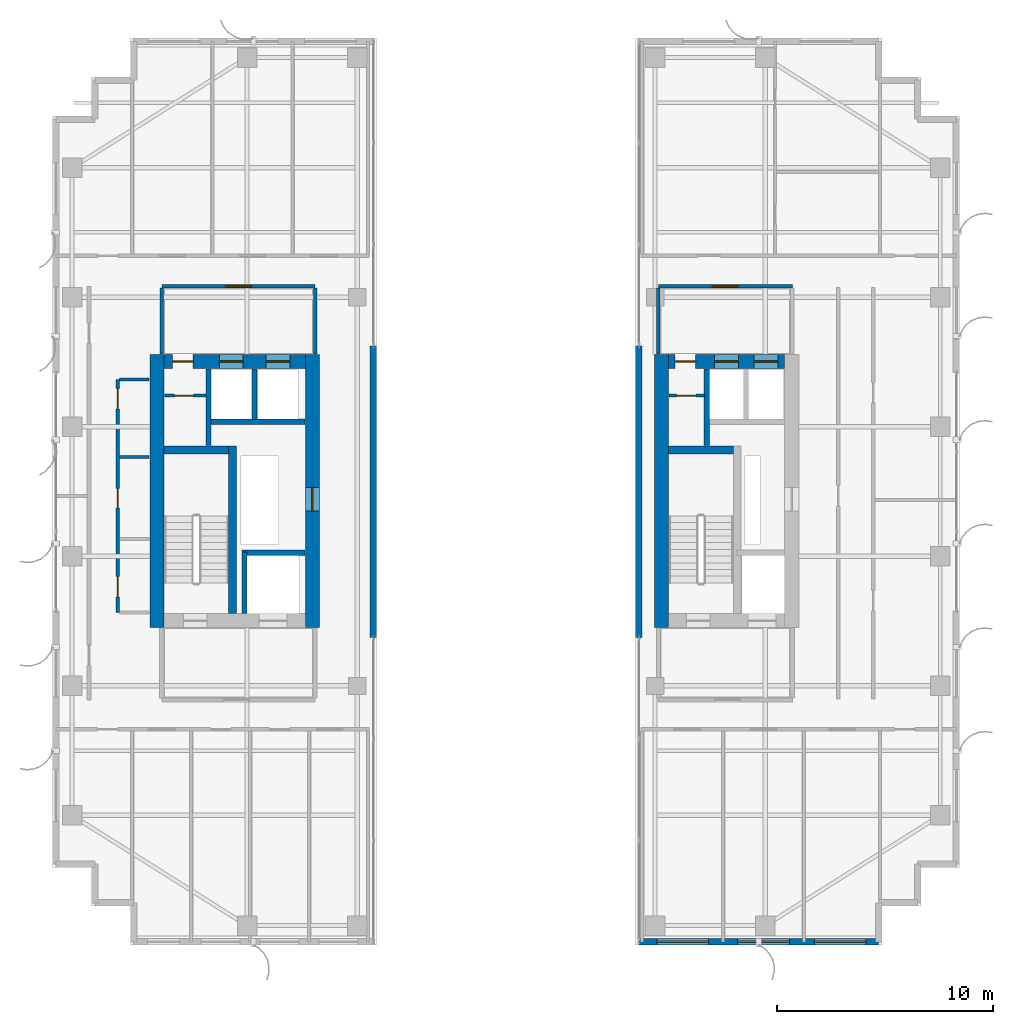
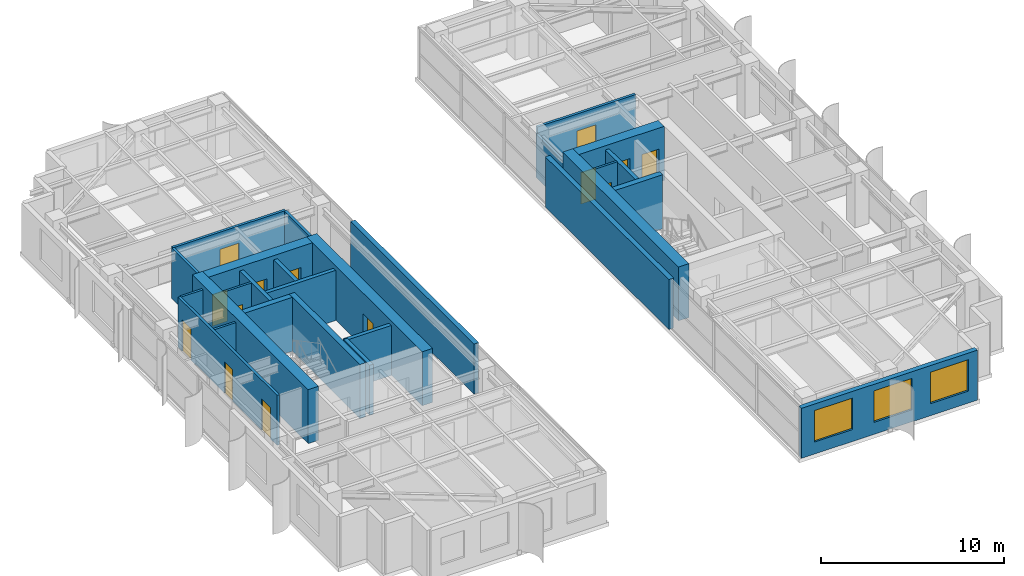
# One storey, part 17 of 22: 27 walls, 14 doors, 3 windows, 17 openings.
"""IFC4 building model written with IfcOpenShell, lengths in metres."""

from ifc_helpers import new_model, si_unit, direction, frame, frame_2d, origin, place, context, subcontext, project, spatial, rectangle, extrude, source, transform, mapped, material, layer, layer_set, type_object, element, fill, save


model = new_model("IFC4")

# Units and contexts
model_context = context("Model", 3, precision=1e-05, world=origin(), true_north=direction((0.0, 1.0)))
body_context = subcontext(model_context, "Body", "Model", "MODEL_VIEW")
ifc_project = project(units=[si_unit("LENGTHUNIT", "METRE"), si_unit("AREAUNIT", "SQUARE_METRE"), si_unit("VOLUMEUNIT", "CUBIC_METRE"), si_unit("PLANEANGLEUNIT", "RADIAN"), si_unit("MASSUNIT", "GRAM", prefix="KILO")], contexts=[model_context])

# Site, building, storey
site_placement = place(None, origin())
site = spatial("IfcSite", under=ifc_project, at=site_placement, CompositionType="ELEMENT")
building_placement = place(site_placement, origin())
building = spatial("IfcBuilding", under=site, at=building_placement, Name="Khoralis Quay Care Tower", CompositionType="ELEMENT")
storey_placement = place(building_placement, frame((0.0, 0.0, 191.699951171875)))
storey = spatial("IfcBuildingStorey", under=building, at=storey_placement, Name="L50", CompositionType="ELEMENT", Elevation=191.699951171875)

# Wall
ifc_material_1 = material(Name="Concrete C65/80", Category="concrete")
ifc_layer_1 = layer(ifc_material_1, 0.64990234375)
ifc_layer_set_1 = layer_set([ifc_layer_1], Name="Concrete C65/80")
wall_type_1 = type_object("IfcWallType", Name="WL-CORE-650", PredefinedType="SHEAR", material=ifc_layer_set_1)
wall_1_placement = place(storey_placement, frame((7.824951171875, 14.699951171875, 0.0), z_axis=(0.0, 0.0, 1.0), x_axis=(0.0, 1.0, 0.0)))
element("IfcWall", 1, at=wall_1_placement, inside=storey, type_object=wall_type_1, Name="L50 WCORE West Shear Wall", PredefinedType="SHEAR", context=body_context, shape_type="SweptSolid", body=[
    extrude(rectangle(XDim=12.650146484375, YDim=0.64990234375, at=frame_2d((6.3251953125, 0.0))), origin(), (0.0, 0.0, 1.0), 3.60009765625),
])

# Wall, opening, door
wall_2_placement = place(storey_placement, frame((15.02490234375, 14.699951171875, 0.0), z_axis=(0.0, 0.0, 1.0), x_axis=(0.0, 1.0, 0.0)))
wall_2 = element("IfcWall", 2, at=wall_2_placement, inside=storey, type_object=wall_type_1, Name="L50 WCORE East Shear Wall", PredefinedType="SHEAR", context=body_context, shape_type="SweptSolid", body=[
    extrude(rectangle(XDim=12.650146484375, YDim=0.64990234375, at=frame_2d((6.3251953125, 0.0))), origin(), (0.0, 0.0, 1.0), 3.60009765625),
])
opening_1_placement = place(wall_2_placement, frame((5.39990234375, 0.0, 0.0)))
opening_1 = element("IfcOpeningElement", 3, at=opening_1_placement, cuts=wall_2, Name="Opening SD1", PredefinedType="OPENING", context=body_context, shape_type="SweptSolid", body=[
    extrude(rectangle(XDim=1.10009765625, YDim=2.199951171875, at=frame_2d((0.550048828125, 1.10009765625))), frame((0.0, 0.3349609375, 0.0), z_axis=(0.0, -1.0, 0.0), x_axis=(1.0, 0.0, 0.0)), (0.0, 0.0, 1.0), 0.669921875),
])
ifc_material_2 = material(Name="Fire-rated painted steel", Category="steel")
door_type_1 = type_object("IfcDoorType", Name="DR-STAIR-1100X2200", OperationType="NOTDEFINED", PredefinedType="DOOR", material=ifc_material_2)
shared_shape_1 = source(origin(), body_context, "Body", "SweptSolid", [
    extrude(rectangle(XDim=1.10009765625, YDim=2.199951171875, at=frame_2d((0.550048828125, 1.10009765625))), frame((0.0, 0.02490234375, 0.0), z_axis=(0.0, -1.0, 0.0), x_axis=(1.0, 0.0, 0.0)), (0.0, 0.0, 1.0), 0.050048828125),
])
door_1_placement = place(opening_1_placement, origin())
door_1 = element("IfcDoor", 4, at=door_1_placement, inside=storey, type_object=door_type_1, Name="L50 West MEP Riser Door", OperationType="SINGLE_SWING_RIGHT", OverallHeight=2.199951171875, OverallWidth=1.10009765625, PredefinedType="DOOR", context=body_context, shape_type="MappedRepresentation", body=[
    mapped(shared_shape_1, transform((0.0, 0.0, 0.0), scale=1.0)),
])
fill(opening_1, door_1)

# Wall, openings, doors
wall_3_placement = place(storey_placement, frame((8.14990234375, 27.02490234375, 0.0), z_axis=(0.0, 0.0, 1.0), x_axis=(1.0, 0.0, 0.0)))
wall_3 = element("IfcWall", 5, at=wall_3_placement, inside=storey, type_object=wall_type_1, Name="L50 WCORE North Shear Wall", PredefinedType="SHEAR", context=body_context, shape_type="SweptSolid", body=[
    extrude(rectangle(XDim=6.550048828125, YDim=0.64990234375, at=frame_2d((3.27490234375, 0.0))), origin(), (0.0, 0.0, 1.0), 3.60009765625),
])
opening_2_placement = place(wall_3_placement, frame((0.39990234375, 0.0, 0.0)))
opening_2 = element("IfcOpeningElement", 6, at=opening_2_placement, cuts=wall_3, Name="Opening ID1", PredefinedType="OPENING", context=body_context, shape_type="SweptSolid", body=[
    extrude(rectangle(XDim=0.949951171875, YDim=2.10009765625, at=frame_2d((0.47509765625, 1.050048828125))), frame((0.0, 0.3349609375, 0.0), z_axis=(0.0, -1.0, 0.0), x_axis=(1.0, 0.0, 0.0)), (0.0, 0.0, 1.0), 0.669921875),
])
opening_3_placement = place(wall_3_placement, frame((2.570068359375, 0.0, 0.0)))
opening_3 = element("IfcOpeningElement", 7, at=opening_3_placement, cuts=wall_3, Name="Opening LD1", PredefinedType="OPENING", context=body_context, shape_type="SweptSolid", body=[
    extrude(rectangle(XDim=1.10009765625, YDim=2.199951171875, at=frame_2d((0.550048828125, 1.10009765625))), frame((0.0, 0.3349609375, 0.0), z_axis=(0.0, -1.0, 0.0), x_axis=(1.0, 0.0, 0.0)), (0.0, 0.0, 1.0), 0.669921875),
])
opening_4_placement = place(wall_3_placement, frame((4.72998046875, 0.0, 0.0)))
opening_4 = element("IfcOpeningElement", 8, at=opening_4_placement, cuts=wall_3, Name="Opening LD1", PredefinedType="OPENING", context=body_context, shape_type="SweptSolid", body=[
    extrude(rectangle(XDim=1.10009765625, YDim=2.199951171875, at=frame_2d((0.550048828125, 1.10009765625))), frame((0.0, 0.3349609375, 0.0), z_axis=(0.0, -1.0, 0.0), x_axis=(1.0, 0.0, 0.0)), (0.0, 0.0, 1.0), 0.669921875),
])
ifc_material_3 = material(Name="Brushed stainless steel", Category="steel")
door_type_2 = type_object("IfcDoorType", Name="DR-LIFT-1100X2200", OperationType="SLIDING_TO_LEFT", PredefinedType="DOOR", material=ifc_material_3)
shared_shape_2 = source(origin(), body_context, "Body", "SweptSolid", [
    extrude(rectangle(XDim=1.10009765625, YDim=2.199951171875, at=frame_2d((0.550048828125, 1.10009765625))), frame((0.0, 0.02490234375, 0.0), z_axis=(0.0, -1.0, 0.0), x_axis=(1.0, 0.0, 0.0)), (0.0, 0.0, 1.0), 0.050048828125),
])
door_2_placement = place(opening_3_placement, origin())
door_2 = element("IfcDoor", 9, at=door_2_placement, inside=storey, type_object=door_type_2, Name="L50 Lift PLM1 Landing Door", OperationType="SLIDING_TO_LEFT", OverallHeight=2.199951171875, OverallWidth=1.10009765625, PredefinedType="DOOR", context=body_context, shape_type="MappedRepresentation", body=[
    mapped(shared_shape_2, transform((0.0, 0.0, 0.0), scale=1.0)),
])
fill(opening_3, door_2)
door_3_placement = place(opening_4_placement, origin())
door_3 = element("IfcDoor", 10, at=door_3_placement, inside=storey, type_object=door_type_2, Name="L50 Lift PLH1 Landing Door", OperationType="SLIDING_TO_LEFT", OverallHeight=2.199951171875, OverallWidth=1.10009765625, PredefinedType="DOOR", context=body_context, shape_type="MappedRepresentation", body=[
    mapped(shared_shape_2, transform((0.0, 0.0, 0.0), scale=1.0)),
])
fill(opening_4, door_3)
ifc_material_4 = material(Name="Acoustic hardwood timber", Category="wood")
door_type_3 = type_object("IfcDoorType", Name="DR-ROOM-950X2100", OperationType="NOTDEFINED", PredefinedType="DOOR", material=ifc_material_4)
shared_shape_3 = source(origin(), body_context, "Body", "SweptSolid", [
    extrude(rectangle(XDim=0.949951171875, YDim=2.10009765625, at=frame_2d((0.47509765625, 1.050048828125))), frame((0.0, 0.02490234375, 0.0), z_axis=(0.0, -1.0, 0.0), x_axis=(1.0, 0.0, 0.0)), (0.0, 0.0, 1.0), 0.050048828125),
])
door_4_placement = place(opening_2_placement, frame((0.949951171875, 0.0, 0.0), z_axis=(0.0, 0.0, 1.0), x_axis=(-1.0, 0.0, 0.0)))
door_4 = element("IfcDoor", 11, at=door_4_placement, inside=storey, type_object=door_type_3, Name="L50 Medication Store Door", OperationType="SINGLE_SWING_RIGHT", OverallHeight=2.10009765625, OverallWidth=0.949951171875, PredefinedType="DOOR", context=body_context, shape_type="MappedRepresentation", body=[
    mapped(shared_shape_3, transform((0.0, 0.0, 0.0), scale=1.0)),
])
fill(opening_2, door_4)

# Wall
wall_4_placement = place(storey_placement, frame((31.195068359375, 14.699951171875, 0.0), z_axis=(0.0, 0.0, 1.0), x_axis=(0.0, 1.0, 0.0)))
element("IfcWall", 12, at=wall_4_placement, inside=storey, type_object=wall_type_1, Name="L50 ECORE West Shear Wall", PredefinedType="SHEAR", context=body_context, shape_type="SweptSolid", body=[
    extrude(rectangle(XDim=12.650146484375, YDim=0.64990234375, at=frame_2d((6.3251953125, 0.0))), origin(), (0.0, 0.0, 1.0), 3.60009765625),
])

# Wall, openings, doors
wall_5_placement = place(storey_placement, frame((31.52001953125, 27.02490234375, 0.0), z_axis=(0.0, 0.0, 1.0), x_axis=(1.0, 0.0, 0.0)))
wall_5 = element("IfcWall", 13, at=wall_5_placement, inside=storey, type_object=wall_type_1, Name="L50 ECORE North Shear Wall", PredefinedType="SHEAR", context=body_context, shape_type="SweptSolid", body=[
    extrude(rectangle(XDim=5.3798828125, YDim=0.64990234375, at=frame_2d((2.68994140625, 0.0))), origin(), (0.0, 0.0, 1.0), 3.60009765625),
])
opening_5_placement = place(wall_5_placement, frame((0.300048828125, 0.0, 0.0)))
opening_5 = element("IfcOpeningElement", 14, at=opening_5_placement, cuts=wall_5, Name="Opening ID1", PredefinedType="OPENING", context=body_context, shape_type="SweptSolid", body=[
    extrude(rectangle(XDim=0.949951171875, YDim=2.10009765625, at=frame_2d((0.47509765625, 1.050048828125))), frame((0.0, 0.3349609375, 0.0), z_axis=(0.0, -1.0, 0.0), x_axis=(1.0, 0.0, 0.0)), (0.0, 0.0, 1.0), 0.669921875),
])
opening_6_placement = place(wall_5_placement, frame((2.1298828125, 0.0, 0.0)))
opening_6 = element("IfcOpeningElement", 15, at=opening_6_placement, cuts=wall_5, Name="Opening LD1", PredefinedType="OPENING", context=body_context, shape_type="SweptSolid", body=[
    extrude(rectangle(XDim=1.10009765625, YDim=2.199951171875, at=frame_2d((0.550048828125, 1.10009765625))), frame((0.0, 0.3349609375, 0.0), z_axis=(0.0, -1.0, 0.0), x_axis=(1.0, 0.0, 0.0)), (0.0, 0.0, 1.0), 0.669921875),
])
opening_7_placement = place(wall_5_placement, frame((3.9599609375, 0.0, 0.0)))
opening_7 = element("IfcOpeningElement", 16, at=opening_7_placement, cuts=wall_5, Name="Opening LD1", PredefinedType="OPENING", context=body_context, shape_type="SweptSolid", body=[
    extrude(rectangle(XDim=1.10009765625, YDim=2.199951171875, at=frame_2d((0.550048828125, 1.10009765625))), frame((0.0, 0.3349609375, 0.0), z_axis=(0.0, -1.0, 0.0), x_axis=(1.0, 0.0, 0.0)), (0.0, 0.0, 1.0), 0.669921875),
])
door_5_placement = place(opening_6_placement, origin())
door_5 = element("IfcDoor", 17, at=door_5_placement, inside=storey, type_object=door_type_2, Name="L50 Lift PLM2 Landing Door", OperationType="SLIDING_TO_LEFT", OverallHeight=2.199951171875, OverallWidth=1.10009765625, PredefinedType="DOOR", context=body_context, shape_type="MappedRepresentation", body=[
    mapped(shared_shape_2, transform((0.0, 0.0, 0.0), scale=1.0)),
])
fill(opening_6, door_5)
door_6_placement = place(opening_7_placement, origin())
door_6 = element("IfcDoor", 18, at=door_6_placement, inside=storey, type_object=door_type_2, Name="L50 Lift PLH2 Landing Door", OperationType="SLIDING_TO_LEFT", OverallHeight=2.199951171875, OverallWidth=1.10009765625, PredefinedType="DOOR", context=body_context, shape_type="MappedRepresentation", body=[
    mapped(shared_shape_2, transform((0.0, 0.0, 0.0), scale=1.0)),
])
fill(opening_7, door_6)
door_7_placement = place(opening_5_placement, frame((0.949951171875, 0.0, 0.0), z_axis=(0.0, 0.0, 1.0), x_axis=(-1.0, 0.0, 0.0)))
door_7 = element("IfcDoor", 19, at=door_7_placement, inside=storey, type_object=door_type_3, Name="L50 Nutrition Store Door", OperationType="SINGLE_SWING_LEFT", OverallHeight=2.10009765625, OverallWidth=0.949951171875, PredefinedType="DOOR", context=body_context, shape_type="MappedRepresentation", body=[
    mapped(shared_shape_3, transform((0.0, 0.0, 0.0), scale=1.0)),
])
fill(opening_5, door_7)

# Wall, opening, door
ifc_material_5 = material(Name="Gypsum plasterboard on acoustic metal stud")
ifc_layer_2 = layer(ifc_material_5, 0.1650390625)
ifc_layer_set_2 = layer_set([ifc_layer_2], Name="Gypsum plasterboard on acoustic metal stud")
wall_type_2 = type_object("IfcWallType", Name="WL-CORR-165", PredefinedType="PARTITIONING", material=ifc_layer_set_2)
wall_6_placement = place(storey_placement, frame((8.050048828125, 30.5, 0.0), z_axis=(0.0, 0.0, 1.0), x_axis=(1.0, 0.0, 0.0)))
wall_6 = element("IfcWall", 20, at=wall_6_placement, inside=storey, type_object=wall_type_2, Name="L50 West Lift Lobby North Wall", PredefinedType="PARTITIONING", context=body_context, shape_type="SweptSolid", body=[
    extrude(rectangle(XDim=7.099853515625, YDim=0.1650390625, at=frame_2d((3.5498046875, 0.0))), origin(), (0.0, 0.0, 1.0), 3.340087890625),
])
opening_8_placement = place(wall_6_placement, frame((2.949951171875, 0.0, 0.0)))
opening_8 = element("IfcOpeningElement", 21, at=opening_8_placement, cuts=wall_6, Name="Opening FD1", PredefinedType="OPENING", context=body_context, shape_type="SweptSolid", body=[
    extrude(rectangle(XDim=1.199951171875, YDim=2.199951171875, at=frame_2d((0.60009765625, 1.10009765625))), frame((0.0, 0.092529296875, 0.0), z_axis=(0.0, -1.0, 0.0), x_axis=(1.0, 0.0, 0.0)), (0.0, 0.0, 1.0), 0.18505859375),
])
door_type_4 = type_object("IfcDoorType", Name="DR-FFL-1200X2200", OperationType="NOTDEFINED", PredefinedType="DOOR", material=ifc_material_2)
shared_shape_4 = source(origin(), body_context, "Body", "SweptSolid", [
    extrude(rectangle(XDim=1.199951171875, YDim=2.199951171875, at=frame_2d((0.60009765625, 1.10009765625))), frame((0.0, 0.02490234375, 0.0), z_axis=(0.0, -1.0, 0.0), x_axis=(1.0, 0.0, 0.0)), (0.0, 0.0, 1.0), 0.050048828125),
])
door_8_placement = place(opening_8_placement, origin())
door_8 = element("IfcDoor", 22, at=door_8_placement, inside=storey, type_object=door_type_4, Name="L50 West Lift Lobby Double Door", OperationType="DOUBLE_DOOR_SINGLE_SWING", OverallHeight=2.199951171875, OverallWidth=1.199951171875, PredefinedType="DOOR", context=body_context, shape_type="MappedRepresentation", body=[
    mapped(shared_shape_4, transform((0.0, 0.0, 0.0), scale=1.0)),
])
fill(opening_8, door_8)

# Walls
for number, where, z_axis, x_axis, name in (
    (23, (8.050048828125, 27.3701171875, 0.0), (0.0, 0.0, 1.0), (0.0, 1.0, 0.0), "L50 West Lift Lobby West Wall"),
    (24, (15.14990234375, 27.3701171875, 0.0), (0.0, 0.0, 1.0), (0.0, 1.0, 0.0), "L50 West Lift Lobby East Wall"),
):
    element("IfcWall", number, at=place(storey_placement, frame(where, z_axis=z_axis, x_axis=x_axis)), inside=storey, type_object=wall_type_2, Name=name, PredefinedType="PARTITIONING", context=body_context, shape_type="SweptSolid", body=[
        extrude(rectangle(XDim=3.052490234375, YDim=0.1650390625, at=frame_2d((1.5263671875, 0.0))), origin(), (0.0, 0.0, 1.0), 3.340087890625),
    ])

# Wall, opening, door
wall_7_placement = place(storey_placement, frame((31.050048828125, 30.5, 0.0), z_axis=(0.0, 0.0, 1.0), x_axis=(1.0, 0.0, 0.0)))
wall_7 = element("IfcWall", 25, at=wall_7_placement, inside=storey, type_object=wall_type_2, Name="L50 East Lift Lobby North Wall", PredefinedType="PARTITIONING", context=body_context, shape_type="SweptSolid", body=[
    extrude(rectangle(XDim=6.199951171875, YDim=0.1650390625, at=frame_2d((3.10009765625, 0.0))), origin(), (0.0, 0.0, 1.0), 3.340087890625),
])
opening_9_placement = place(wall_7_placement, frame((2.5, 0.0, 0.0)))
opening_9 = element("IfcOpeningElement", 26, at=opening_9_placement, cuts=wall_7, Name="Opening FD1", PredefinedType="OPENING", context=body_context, shape_type="SweptSolid", body=[
    extrude(rectangle(XDim=1.199951171875, YDim=2.199951171875, at=frame_2d((0.60009765625, 1.10009765625))), frame((0.0, 0.092529296875, 0.0), z_axis=(0.0, -1.0, 0.0), x_axis=(1.0, 0.0, 0.0)), (0.0, 0.0, 1.0), 0.18505859375),
])
door_9_placement = place(opening_9_placement, origin())
door_9 = element("IfcDoor", 27, at=door_9_placement, inside=storey, type_object=door_type_4, Name="L50 East Lift Lobby Double Door", OperationType="DOUBLE_DOOR_SINGLE_SWING", OverallHeight=2.199951171875, OverallWidth=1.199951171875, PredefinedType="DOOR", context=body_context, shape_type="MappedRepresentation", body=[
    mapped(shared_shape_4, transform((0.0, 0.0, 0.0), scale=1.0)),
])
fill(opening_9, door_9)

# Wall
wall_8_placement = place(storey_placement, frame((31.050048828125, 27.3701171875, 0.0), z_axis=(0.0, 0.0, 1.0), x_axis=(0.0, 1.0, 0.0)))
element("IfcWall", 28, at=wall_8_placement, inside=storey, type_object=wall_type_2, Name="L50 East Lift Lobby West Wall", PredefinedType="PARTITIONING", context=body_context, shape_type="SweptSolid", body=[
    extrude(rectangle(XDim=3.052490234375, YDim=0.1650390625, at=frame_2d((1.5263671875, 0.0))), origin(), (0.0, 0.0, 1.0), 2.876953125),
])

# Wall, openings, doors
wall_9_placement = place(storey_placement, frame((6.02001953125, 15.39990234375, 0.0), z_axis=(0.0, 0.0, 1.0), x_axis=(0.0, 1.0, 0.0)))
wall_9 = element("IfcWall", 29, at=wall_9_placement, inside=storey, type_object=wall_type_2, Name="L50 West Core Service Flank Wall", PredefinedType="PARTITIONING", context=body_context, shape_type="SweptSolid", body=[
    extrude(rectangle(XDim=10.800048828125, YDim=0.1650390625, at=frame_2d((5.39990234375, 0.0))), origin(), (0.0, 0.0, 1.0), 3.340087890625),
])
opening_10_placement = place(wall_9_placement, frame((0.72509765625, 0.0, 0.0)))
opening_10 = element("IfcOpeningElement", 30, at=opening_10_placement, cuts=wall_9, Name="Opening ID1", PredefinedType="OPENING", context=body_context, shape_type="SweptSolid", body=[
    extrude(rectangle(XDim=0.949951171875, YDim=2.10009765625, at=frame_2d((0.47509765625, 1.050048828125))), frame((0.0, 0.092529296875, 0.0), z_axis=(0.0, -1.0, 0.0), x_axis=(1.0, 0.0, 0.0)), (0.0, 0.0, 1.0), 0.18505859375),
])
opening_11_placement = place(wall_9_placement, frame((4.85009765625, 0.0, 0.0)))
opening_11 = element("IfcOpeningElement", 31, at=opening_11_placement, cuts=wall_9, Name="Opening WD1", PredefinedType="OPENING", context=body_context, shape_type="SweptSolid", body=[
    extrude(rectangle(XDim=0.89990234375, YDim=2.10009765625, at=frame_2d((0.449951171875, 1.050048828125))), frame((0.0, 0.092529296875, 0.0), z_axis=(0.0, -1.0, 0.0), x_axis=(1.0, 0.0, 0.0)), (0.0, 0.0, 1.0), 0.18505859375),
])
opening_12_placement = place(wall_9_placement, frame((9.425048828125, 0.0, 0.0)))
opening_12 = element("IfcOpeningElement", 32, at=opening_12_placement, cuts=wall_9, Name="Opening ID1", PredefinedType="OPENING", context=body_context, shape_type="SweptSolid", body=[
    extrude(rectangle(XDim=0.949951171875, YDim=2.10009765625, at=frame_2d((0.47509765625, 1.050048828125))), frame((0.0, 0.092529296875, 0.0), z_axis=(0.0, -1.0, 0.0), x_axis=(1.0, 0.0, 0.0)), (0.0, 0.0, 1.0), 0.18505859375),
])
door_type_5 = type_object("IfcDoorType", Name="DR-BATH-900X2100", OperationType="NOTDEFINED", PredefinedType="DOOR", material=ifc_material_4)
shared_shape_5 = source(origin(), body_context, "Body", "SweptSolid", [
    extrude(rectangle(XDim=0.89990234375, YDim=2.10009765625, at=frame_2d((0.449951171875, 1.050048828125))), frame((0.0, 0.02490234375, 0.0), z_axis=(0.0, -1.0, 0.0), x_axis=(1.0, 0.0, 0.0)), (0.0, 0.0, 1.0), 0.050048828125),
])
door_10_placement = place(opening_11_placement, frame((0.89990234375, 0.0, 0.0), z_axis=(0.0, 0.0, 1.0), x_axis=(-1.0, 0.0, 0.0)))
door_10 = element("IfcDoor", 33, at=door_10_placement, inside=storey, type_object=door_type_5, Name="L50 Public Accessible WC Door", OperationType="SINGLE_SWING_RIGHT", OverallHeight=2.10009765625, OverallWidth=0.89990234375, PredefinedType="DOOR", context=body_context, shape_type="MappedRepresentation", body=[
    mapped(shared_shape_5, transform((0.0, 0.0, 0.0), scale=1.0)),
])
fill(opening_11, door_10)
door_11_placement = place(opening_10_placement, frame((0.949951171875, 0.0, 0.0), z_axis=(0.0, 0.0, 1.0), x_axis=(-1.0, 0.0, 0.0)))
door_11 = element("IfcDoor", 34, at=door_11_placement, inside=storey, type_object=door_type_3, Name="L50 Clean Utility Store Door", OperationType="SINGLE_SWING_LEFT", OverallHeight=2.10009765625, OverallWidth=0.949951171875, PredefinedType="DOOR", context=body_context, shape_type="MappedRepresentation", body=[
    mapped(shared_shape_3, transform((0.0, 0.0, 0.0), scale=1.0)),
])
fill(opening_10, door_11)
door_12_placement = place(opening_12_placement, frame((0.949951171875, 0.0, 0.0), z_axis=(0.0, 0.0, 1.0), x_axis=(-1.0, 0.0, 0.0)))
door_12 = element("IfcDoor", 35, at=door_12_placement, inside=storey, type_object=door_type_3, Name="L50 Electrical Switchboard Room Door", OperationType="SINGLE_SWING_LEFT", OverallHeight=2.10009765625, OverallWidth=0.949951171875, PredefinedType="DOOR", context=body_context, shape_type="MappedRepresentation", body=[
    mapped(shared_shape_3, transform((0.0, 0.0, 0.0), scale=1.0)),
])
fill(opening_12, door_12)

# Wall
ifc_material_6 = material(Name="Precast concrete C45/55", Category="concrete")
ifc_layer_3 = layer(ifc_material_6, 0.300048828125)
ifc_layer_set_3 = layer_set([ifc_layer_3], Name="Precast concrete C45/55")
wall_type_3 = type_object("IfcWallType", Name="WL-EXT-REF-300", PredefinedType="SOLIDWALL", material=ifc_layer_set_3)
wall_10_placement = place(storey_placement, frame((17.85009765625, 14.25, 0.0), z_axis=(0.0, 0.0, 1.0), x_axis=(0.0, 1.0, 0.0)))
element("IfcWall", 36, at=wall_10_placement, inside=storey, type_object=wall_type_3, Name="L50 External Facade Wall WL-VP-L50-P1-M", PredefinedType="SOLIDWALL", context=body_context, shape_type="SweptSolid", body=[
    extrude(rectangle(XDim=13.5, YDim=0.300048828125, at=frame_2d((6.75, 0.0))), origin(), (0.0, 0.0, 1.0), 3.340087890625),
])

# Wall, openings, windows
wall_11_placement = place(storey_placement, frame((30.14990234375, 0.14990234375, 0.0), z_axis=(0.0, 0.0, 1.0), x_axis=(1.0, 0.0, 0.0)))
wall_11 = element("IfcWall", 37, at=wall_11_placement, inside=storey, type_object=wall_type_3, Name="L50 External Facade Wall WL-EXT-L50-P2-E0", PredefinedType="SOLIDWALL", context=body_context, shape_type="SweptSolid", body=[
    extrude(rectangle(XDim=11.10009765625, YDim=0.300048828125, at=frame_2d((5.550048828125, 0.0))), origin(), (0.0, 0.0, 1.0), 3.340087890625),
])
opening_13_placement = place(wall_11_placement, frame((0.824951171875, 0.0, 0.800048828125)))
opening_13 = element("IfcOpeningElement", 38, at=opening_13_placement, cuts=wall_11, Name="Opening W1", PredefinedType="OPENING", context=body_context, shape_type="SweptSolid", body=[
    extrude(rectangle(XDim=2.39990234375, YDim=2.10009765625, at=frame_2d((1.199951171875, 1.050048828125))), frame((0.0, 0.16015625, 0.0), z_axis=(0.0, -1.0, 0.0), x_axis=(1.0, 0.0, 0.0)), (0.0, 0.0, 1.0), 0.320068359375),
])
opening_14_placement = place(wall_11_placement, frame((4.570068359375, 0.0, 0.800048828125)))
opening_14 = element("IfcOpeningElement", 39, at=opening_14_placement, cuts=wall_11, Name="Opening W1", PredefinedType="OPENING", context=body_context, shape_type="SweptSolid", body=[
    extrude(rectangle(XDim=2.39990234375, YDim=2.10009765625, at=frame_2d((1.199951171875, 1.050048828125))), frame((0.0, 0.16015625, 0.0), z_axis=(0.0, -1.0, 0.0), x_axis=(1.0, 0.0, 0.0)), (0.0, 0.0, 1.0), 0.320068359375),
])
opening_15_placement = place(wall_11_placement, frame((8.1201171875, 0.0, 0.800048828125)))
opening_15 = element("IfcOpeningElement", 40, at=opening_15_placement, cuts=wall_11, Name="Opening W1", PredefinedType="OPENING", context=body_context, shape_type="SweptSolid", body=[
    extrude(rectangle(XDim=2.39990234375, YDim=2.10009765625, at=frame_2d((1.199951171875, 1.050048828125))), frame((0.0, 0.16015625, 0.0), z_axis=(0.0, -1.0, 0.0), x_axis=(1.0, 0.0, 0.0)), (0.0, 0.0, 1.0), 0.320068359375),
])
ifc_material_7 = material(Name="Low-E solar-control double glazing", Category="glass")
window_type = type_object("IfcWindowType", Name="WN-POD-2400X2100", PartitioningType="SINGLE_PANEL", PredefinedType="WINDOW", material=ifc_material_7)
shared_shape_6 = source(origin(), body_context, "Body", "SweptSolid", [
    extrude(rectangle(XDim=2.39990234375, YDim=2.10009765625, at=frame_2d((1.199951171875, 1.050048828125))), frame((0.0, 0.030029296875, 0.0), z_axis=(0.0, -1.0, 0.0), x_axis=(1.0, 0.0, 0.0)), (0.0, 0.0, 1.0), 0.06005859375),
])
window_1_placement = place(opening_13_placement, origin())
window_1 = element("IfcWindow", 41, at=window_1_placement, inside=storey, type_object=window_type, Name="WN-L50-P2-E0 Facade Window 01", OverallHeight=2.10009765625, OverallWidth=2.39990234375, PartitioningType="SINGLE_PANEL", PredefinedType="WINDOW", context=body_context, shape_type="MappedRepresentation", body=[
    mapped(shared_shape_6, transform((0.0, 0.0, 0.0), scale=1.0)),
])
fill(opening_13, window_1)
window_2_placement = place(opening_14_placement, origin())
window_2 = element("IfcWindow", 42, at=window_2_placement, inside=storey, type_object=window_type, Name="WN-L50-P2-E0 Facade Window 02", OverallHeight=2.10009765625, OverallWidth=2.39990234375, PartitioningType="SINGLE_PANEL", PredefinedType="WINDOW", context=body_context, shape_type="MappedRepresentation", body=[
    mapped(shared_shape_6, transform((0.0, 0.0, 0.0), scale=1.0)),
])
fill(opening_14, window_2)
window_3_placement = place(opening_15_placement, origin())
window_3 = element("IfcWindow", 43, at=window_3_placement, inside=storey, type_object=window_type, Name="WN-L50-P2-E0 Facade Window 03", OverallHeight=2.10009765625, OverallWidth=2.39990234375, PartitioningType="SINGLE_PANEL", PredefinedType="WINDOW", context=body_context, shape_type="MappedRepresentation", body=[
    mapped(shared_shape_6, transform((0.0, 0.0, 0.0), scale=1.0)),
])
fill(opening_15, window_3)

# Walls
wall_12_placement = place(storey_placement, frame((30.14990234375, 14.25, 0.0), z_axis=(0.0, 0.0, 1.0), x_axis=(0.0, 1.0, 0.0)))
element("IfcWall", 44, at=wall_12_placement, inside=storey, type_object=wall_type_3, Name="L50 External Facade Wall WL-VP-L50-P2-M", PredefinedType="SOLIDWALL", context=body_context, shape_type="SweptSolid", body=[
    extrude(rectangle(XDim=13.5, YDim=0.300048828125, at=frame_2d((6.75, 0.0))), origin(), (0.0, 0.0, 1.0), 3.340087890625),
])
ifc_material_8 = material(Name="Concrete C40/50", Category="concrete")
ifc_layer_4 = layer(ifc_material_8, 0.35009765625)
ifc_layer_set_4 = layer_set([ifc_layer_4], Name="Concrete C40/50")
wall_type_4 = type_object("IfcWallType", Name="WL-SC-CORE-350", PredefinedType="SHEAR", material=ifc_layer_set_4)
wall_13_placement = place(storey_placement, frame((11.324951171875, 15.35009765625, 0.0), z_axis=(0.0, 0.0, 1.0), x_axis=(0.0, 1.0, 0.0)))
element("IfcWall", 45, at=wall_13_placement, inside=storey, type_object=wall_type_4, Name="L50 Stair ST-T1 Shear Baffle Wall East", PredefinedType="SHEAR", context=body_context, shape_type="SweptSolid", body=[
    extrude(rectangle(XDim=7.75, YDim=0.35009765625, at=frame_2d((3.875, 0.0))), origin(), (0.0, 0.0, 1.0), 3.60009765625),
])
for number, where, z_axis, x_axis, name in (
    (46, (8.14990234375, 22.925048828125, 0.0), (0.0, 0.0, 1.0), (1.0, 0.0, 0.0), "L50 Stair ST-T1 Shear Baffle Wall North"),
    (47, (31.52001953125, 22.925048828125, 0.0), (0.0, 0.0, 1.0), (1.0, 0.0, 0.0), "L50 Stair ST-T2 Shear Baffle Wall North"),
):
    element("IfcWall", number, at=place(storey_placement, frame(where, z_axis=z_axis, x_axis=x_axis)), inside=storey, type_object=wall_type_4, Name=name, PredefinedType="SHEAR", context=body_context, shape_type="SweptSolid", body=[
        extrude(rectangle(XDim=3.0, YDim=0.35009765625, at=frame_2d((1.5, 0.0))), origin(), (0.0, 0.0, 1.0), 3.60009765625),
    ])
ifc_layer_5 = layer(ifc_material_5, 0.239990234375)
ifc_layer_set_5 = layer_set([ifc_layer_5], Name="Gypsum plasterboard on acoustic metal stud")
wall_type_5 = type_object("IfcWallType", Name="WL-SHAFT-240", PredefinedType="PARTITIONING", material=ifc_layer_set_5)
wall_14_placement = place(storey_placement, frame((11.8798828125, 15.35009765625, 0.0), z_axis=(0.0, 0.0, 1.0), x_axis=(0.0, 1.0, 0.0)))
element("IfcWall", 48, at=wall_14_placement, inside=storey, type_object=wall_type_5, Name="L50 FFL-1 Shaft Wall West", PredefinedType="PARTITIONING", context=body_context, shape_type="SweptSolid", body=[
    extrude(rectangle(XDim=2.849853515625, YDim=0.239990234375, at=frame_2d((1.4248046875, 0.0))), origin(), (0.0, 0.0, 1.0), 3.340087890625),
])
wall_15_placement = place(storey_placement, frame((11.760009765625, 18.169921875, 0.0), z_axis=(0.0, 0.0, 1.0), x_axis=(1.0, 0.0, 0.0)))
element("IfcWall", 49, at=wall_15_placement, inside=storey, type_object=wall_type_5, Name="L50 FFL-1 Shaft Wall North", PredefinedType="PARTITIONING", context=body_context, shape_type="SweptSolid", body=[
    extrude(rectangle(XDim=2.919921875, YDim=0.239990234375, at=frame_2d((1.4599609375, 0.0))), origin(), (0.0, 0.0, 1.0), 3.340087890625),
])
wall_16_placement = place(storey_placement, frame((10.219970703125, 23.139892578125, 0.0), z_axis=(0.0, 0.0, 1.0), x_axis=(0.0, 1.0, 0.0)))
element("IfcWall", 50, at=wall_16_placement, inside=storey, type_object=wall_type_5, Name="L50 Reclaimed Bay Divider West", PredefinedType="PARTITIONING", context=body_context, shape_type="SweptSolid", body=[
    extrude(rectangle(XDim=3.5400390625, YDim=0.239990234375, at=frame_2d((1.77001953125, 0.0))), origin(), (0.0, 0.0, 1.0), 3.340087890625),
])
wall_17_placement = place(storey_placement, frame((10.3349609375, 24.22998046875, 0.0), z_axis=(0.0, 0.0, 1.0), x_axis=(1.0, 0.0, 0.0)))
element("IfcWall", 51, at=wall_17_placement, inside=storey, type_object=wall_type_5, Name="L50 Active Shaft South Wall West", PredefinedType="PARTITIONING", context=body_context, shape_type="SweptSolid", body=[
    extrude(rectangle(XDim=4.344970703125, YDim=0.239990234375, at=frame_2d((2.17236328125, 0.0))), origin(), (0.0, 0.0, 1.0), 3.340087890625),
])
wall_18_placement = place(storey_placement, frame((12.35009765625, 24.344970703125, 0.0), z_axis=(0.0, 0.0, 1.0), x_axis=(0.0, 1.0, 0.0)))
element("IfcWall", 52, at=wall_18_placement, inside=storey, type_object=wall_type_5, Name="L50 West Shaft Divider 2", PredefinedType="PARTITIONING", context=body_context, shape_type="SweptSolid", body=[
    extrude(rectangle(XDim=2.3349609375, YDim=0.239990234375, at=frame_2d((1.16748046875, 0.0))), origin(), (0.0, 0.0, 1.0), 3.340087890625),
])
wall_19_placement = place(storey_placement, frame((33.2900390625, 23.139892578125, 0.0), z_axis=(0.0, 0.0, 1.0), x_axis=(0.0, 1.0, 0.0)))
element("IfcWall", 53, at=wall_19_placement, inside=storey, type_object=wall_type_5, Name="L50 Reclaimed Bay Divider East", PredefinedType="PARTITIONING", context=body_context, shape_type="SweptSolid", body=[
    extrude(rectangle(XDim=3.5400390625, YDim=0.239990234375, at=frame_2d((1.77001953125, 0.0))), origin(), (0.0, 0.0, 1.0), 3.340087890625),
])

# Wall, opening, door
ifc_layer_6 = layer(ifc_material_5, 0.139892578125)
ifc_layer_set_6 = layer_set([ifc_layer_6], Name="Gypsum plasterboard on acoustic metal stud")
wall_type_6 = type_object("IfcWallType", Name="WL-UNIT-140", PredefinedType="PARTITIONING", material=ifc_layer_set_6)
wall_20_placement = place(storey_placement, frame((8.179931640625, 25.43994140625, 0.0), z_axis=(0.0, 0.0, 1.0), x_axis=(1.0, 0.0, 0.0)))
wall_20 = element("IfcWall", 54, at=wall_20_placement, inside=storey, type_object=wall_type_6, Name="L50 West Reclaimed Split Wall", PredefinedType="PARTITIONING", context=body_context, shape_type="SweptSolid", body=[
    extrude(rectangle(XDim=1.925048828125, YDim=0.139892578125, at=frame_2d((0.96240234375, 0.0))), origin(), (0.0, 0.0, 1.0), 3.340087890625),
])
opening_16_placement = place(wall_20_placement, frame((0.449951171875, 0.0, 0.0)))
opening_16 = element("IfcOpeningElement", 55, at=opening_16_placement, cuts=wall_20, Name="Opening WD1", PredefinedType="OPENING", context=body_context, shape_type="SweptSolid", body=[
    extrude(rectangle(XDim=0.89990234375, YDim=2.10009765625, at=frame_2d((0.449951171875, 1.050048828125))), frame((0.0, 0.080078125, 0.0), z_axis=(0.0, -1.0, 0.0), x_axis=(1.0, 0.0, 0.0)), (0.0, 0.0, 1.0), 0.159912109375),
])
door_13_placement = place(opening_16_placement, frame((0.89990234375, 0.0, 0.0), z_axis=(0.0, 0.0, 1.0), x_axis=(-1.0, 0.0, 0.0)))
door_13 = element("IfcDoor", 56, at=door_13_placement, inside=storey, type_object=door_type_5, Name="L50 Clean Linen Store Door", OperationType="SINGLE_SWING_RIGHT", OverallHeight=2.10009765625, OverallWidth=0.89990234375, PredefinedType="DOOR", context=body_context, shape_type="MappedRepresentation", body=[
    mapped(shared_shape_5, transform((0.0, 0.0, 0.0), scale=1.0)),
])
fill(opening_16, door_13)

wall_21_placement = place(storey_placement, frame((31.550048828125, 25.43994140625, 0.0), z_axis=(0.0, 0.0, 1.0), x_axis=(1.0, 0.0, 0.0)))
wall_21 = element("IfcWall", 57, at=wall_21_placement, inside=storey, type_object=wall_type_6, Name="L50 East Reclaimed Split Wall", PredefinedType="PARTITIONING", context=body_context, shape_type="SweptSolid", body=[
    extrude(rectangle(XDim=1.625, YDim=0.139892578125, at=frame_2d((0.8125, 0.0))), origin(), (0.0, 0.0, 1.0), 3.340087890625),
])
opening_17_placement = place(wall_21_placement, frame((0.340087890625, 0.0, 0.0)))
opening_17 = element("IfcOpeningElement", 58, at=opening_17_placement, cuts=wall_21, Name="Opening WD1", PredefinedType="OPENING", context=body_context, shape_type="SweptSolid", body=[
    extrude(rectangle(XDim=0.89990234375, YDim=2.10009765625, at=frame_2d((0.449951171875, 1.050048828125))), frame((0.0, 0.080078125, 0.0), z_axis=(0.0, -1.0, 0.0), x_axis=(1.0, 0.0, 0.0)), (0.0, 0.0, 1.0), 0.159912109375),
])
door_14_placement = place(opening_17_placement, frame((0.89990234375, 0.0, 0.0), z_axis=(0.0, 0.0, 1.0), x_axis=(-1.0, 0.0, 0.0)))
door_14 = element("IfcDoor", 59, at=door_14_placement, inside=storey, type_object=door_type_5, Name="L50 Sterile Store Door", OperationType="SINGLE_SWING_LEFT", OverallHeight=2.10009765625, OverallWidth=0.89990234375, PredefinedType="DOOR", context=body_context, shape_type="MappedRepresentation", body=[
    mapped(shared_shape_5, transform((0.0, 0.0, 0.0), scale=1.0)),
])
fill(opening_17, door_14)

# Walls
for number, where, z_axis, x_axis, name in (
    (60, (6.097412109375, 26.199951171875, 0.0), (0.0, 0.0, 1.0), (1.0, 0.0, 0.0), "L50 West Flank North Cap"),
    (61, (6.097412109375, 22.60009765625, 0.0), (0.0, 0.0, 1.0), (1.0, 0.0, 0.0), "L50 West Flank Divider 2"),
):
    element("IfcWall", number, at=place(storey_placement, frame(where, z_axis=z_axis, x_axis=x_axis)), inside=storey, type_object=wall_type_6, Name=name, PredefinedType="PARTITIONING", context=body_context, shape_type="SweptSolid", body=[
        extrude(rectangle(XDim=1.362548828125, YDim=0.139892578125, at=frame_2d((0.68115234375, 0.0))), origin(), (0.0, 0.0, 1.0), 3.340087890625),
    ])

save(model, "model.ifc")
